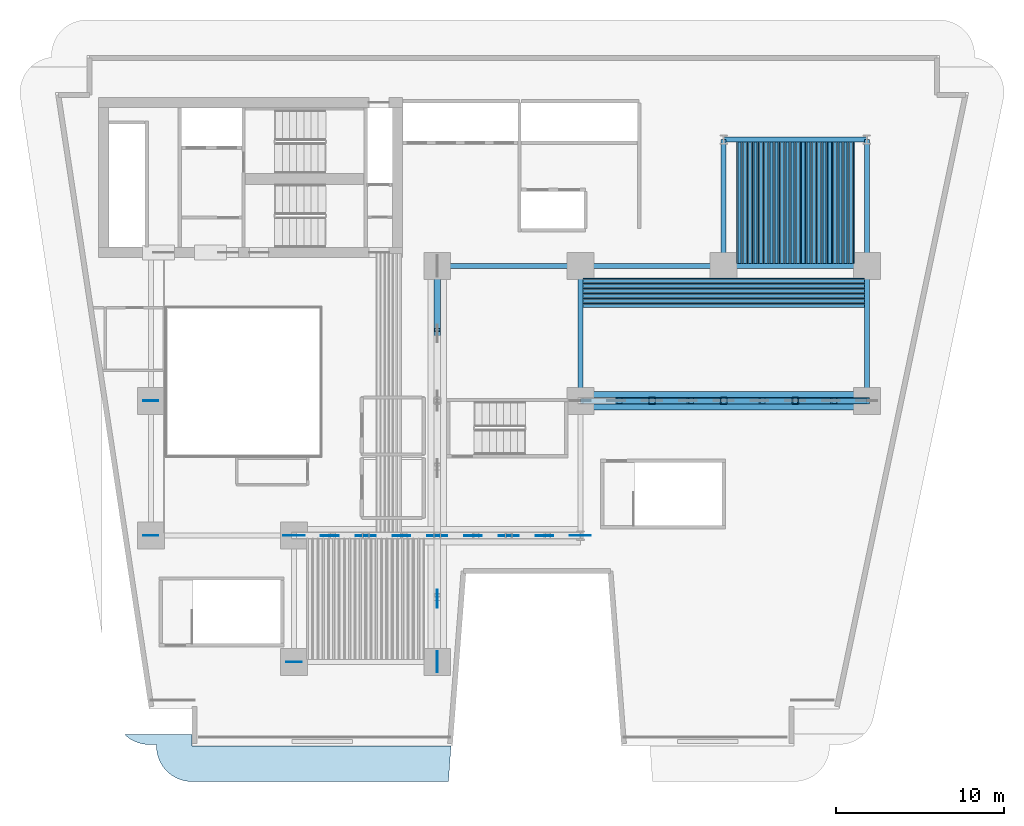
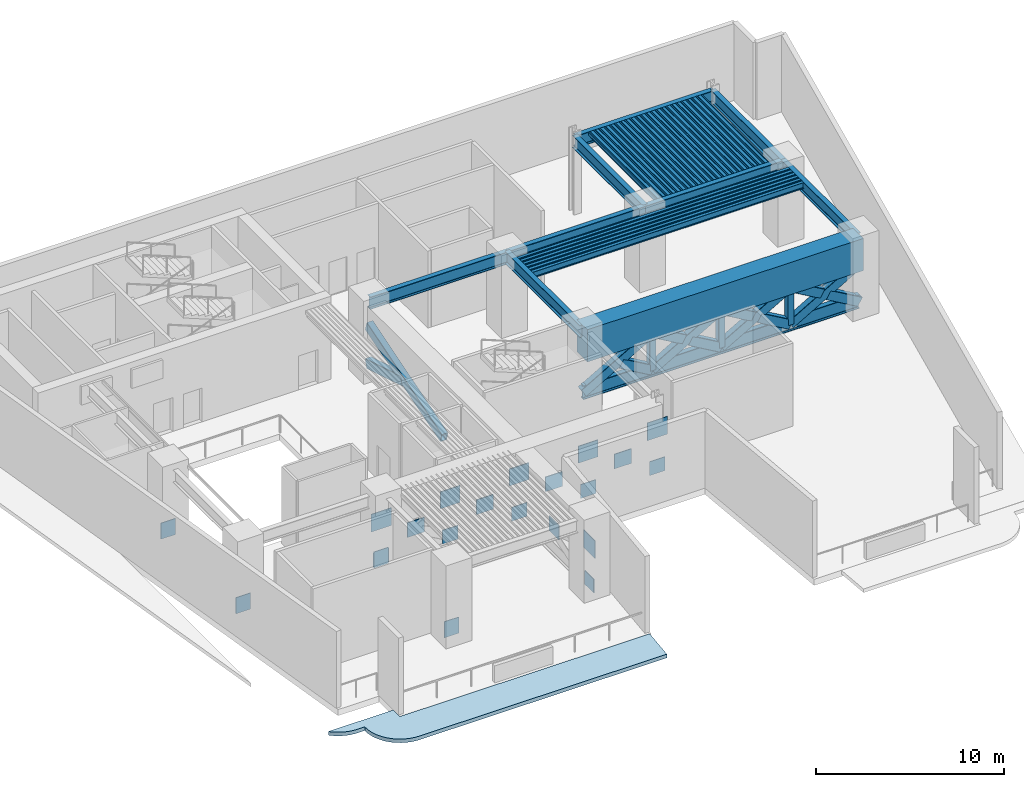
# One storey, part 2 of 9: 67 beams, 21 plates, 16 members, 1 slab.
"""IFC4 building model written with IfcOpenShell, lengths in metres."""

from ifc_helpers import new_model, si_unit, direction, frame, origin, origin_2d, place, context, subcontext, project, spatial, polyline, rectangle, hollow_rectangle, i_section, outline, extrude, material, layer, layer_set, material_profile, profile_set, type_object, element, save


model = new_model("IFC4")

# Units and contexts
model_context = context("Model", 3, precision=1e-05, world=origin(), true_north=direction((0.0, 1.0)))
body_context = subcontext(model_context, "Body", "Model", "MODEL_VIEW")
ifc_project = project(units=[si_unit("LENGTHUNIT", "METRE"), si_unit("AREAUNIT", "SQUARE_METRE"), si_unit("VOLUMEUNIT", "CUBIC_METRE"), si_unit("PLANEANGLEUNIT", "RADIAN"), si_unit("MASSUNIT", "GRAM", prefix="KILO")], contexts=[model_context])

# Site, building, storey
site_placement = place(None, origin())
site = spatial("IfcSite", under=ifc_project, at=site_placement, CompositionType="ELEMENT")
building_placement = place(site_placement, origin())
building = spatial("IfcBuilding", under=site, at=building_placement, Name="Caeloran Harvest Quay", CompositionType="ELEMENT")
storey_placement = place(building_placement, frame((0.0, 0.0, 21.60009765625)))
storey = spatial("IfcBuildingStorey", under=building, at=storey_placement, Name="L05", CompositionType="ELEMENT", Elevation=21.60009765625)

# Beams
ifc_material_1 = material(Name="Steel S355J2", Category="steel")
ifc_material_profile_1 = material_profile(ifc_material_1, i_section(OverallWidth=0.300048828125, OverallDepth=0.800048828125, WebThickness=0.017578125, FlangeThickness=0.032958984375, FilletRadius=0.030029296875, at=origin_2d()), Name="HE 800 B")
ifc_profile_set_1 = profile_set([ifc_material_profile_1], Name="Steel S355J2")
beam_type_1 = type_object("IfcBeamType", Name="BM-PG-1-HE_800_B", PredefinedType="BEAM", material=ifc_profile_set_1)
for number, where, z_axis, x_axis, name in (
    (1, (25.5, 31.0, 4.599853515625), (1.0, 0.0, 0.0), (0.0, 1.0, 0.0), "L05 Primary East-West Girder Y=31.0"),
    (2, (34.0, 31.0, 4.599853515625), (1.0, 0.0, 0.0), (0.0, 1.0, 0.0), "L05 Primary East-West Girder Y=31.0"),
    (3, (42.5, 31.0, 4.599853515625), (1.0, 0.0, 0.0), (0.0, 1.0, 0.0), "L05 Primary East-West Girder Y=31.0"),
    (4, (42.5, 38.5, 4.599853515625), (1.0, 0.0, 0.0), (0.0, 1.0, 0.0), "L05 Primary East-West Girder Y=38.5"),
):
    element("IfcBeam", number, at=place(storey_placement, frame(where, z_axis=z_axis, x_axis=x_axis)), inside=storey, type_object=beam_type_1, Name=name, PredefinedType="BEAM", context=body_context, shape_type="SweptSolid", body=[
        extrude(i_section(OverallWidth=0.300048828125, OverallDepth=0.800048828125, WebThickness=0.017578125, FlangeThickness=0.032958984375, FilletRadius=0.030029296875, at=origin_2d()), origin(), (0.0, 0.0, 1.0), 8.5),
    ])
beam_1_placement = place(storey_placement, frame((34.0, 23.0, 4.599853515625), z_axis=(0.0, 1.0, 0.0), x_axis=(-1.0, 0.0, 0.0)))
element("IfcBeam", 5, at=beam_1_placement, inside=storey, type_object=beam_type_1, Name="L05 Primary North-South Girder X=34.0", PredefinedType="BEAM", context=body_context, shape_type="SweptSolid", body=[
    extrude(i_section(OverallWidth=0.300048828125, OverallDepth=0.800048828125, WebThickness=0.017578125, FlangeThickness=0.032958984375, FilletRadius=0.030029296875, at=origin_2d()), origin(), (0.0, 0.0, 1.0), 8.0),
])
beam_2_placement = place(storey_placement, frame((42.5, 31.0, 4.599853515625), z_axis=(0.0, 1.0, 0.0), x_axis=(-1.0, 0.0, 0.0)))
element("IfcBeam", 6, at=beam_2_placement, inside=storey, type_object=beam_type_1, Name="L05 Primary North-South Girder X=42.5", PredefinedType="BEAM", context=body_context, shape_type="SweptSolid", body=[
    extrude(i_section(OverallWidth=0.300048828125, OverallDepth=0.800048828125, WebThickness=0.017578125, FlangeThickness=0.032958984375, FilletRadius=0.030029296875, at=origin_2d()), origin(), (0.0, 0.0, 1.0), 7.5),
])
beam_3_placement = place(storey_placement, frame((51.0, 23.0, 4.599853515625), z_axis=(0.0, 1.0, 0.0), x_axis=(-1.0, 0.0, 0.0)))
element("IfcBeam", 7, at=beam_3_placement, inside=storey, type_object=beam_type_1, Name="L05 Primary North-South Girder X=51.0", PredefinedType="BEAM", context=body_context, shape_type="SweptSolid", body=[
    extrude(i_section(OverallWidth=0.300048828125, OverallDepth=0.800048828125, WebThickness=0.017578125, FlangeThickness=0.032958984375, FilletRadius=0.030029296875, at=origin_2d()), origin(), (0.0, 0.0, 1.0), 8.0),
])
beam_4_placement = place(storey_placement, frame((51.0, 31.0, 4.599853515625), z_axis=(0.0, 1.0, 0.0), x_axis=(-1.0, 0.0, 0.0)))
element("IfcBeam", 8, at=beam_4_placement, inside=storey, type_object=beam_type_1, Name="L05 Primary North-South Girder X=51.0", PredefinedType="BEAM", context=body_context, shape_type="SweptSolid", body=[
    extrude(i_section(OverallWidth=0.300048828125, OverallDepth=0.800048828125, WebThickness=0.017578125, FlangeThickness=0.032958984375, FilletRadius=0.030029296875, at=origin_2d()), origin(), (0.0, 0.0, 1.0), 7.5),
])
ifc_material_profile_2 = material_profile(ifc_material_1, i_section(OverallWidth=0.179931640625, OverallDepth=0.39990234375, WebThickness=0.008544921875, FlangeThickness=0.013427734375, FilletRadius=0.02099609375, at=origin_2d()), Name="IPE 400")
ifc_profile_set_2 = profile_set([ifc_material_profile_2], Name="Steel S355J2")
beam_type_2 = type_object("IfcBeamType", Name="BM-SB-4-IPE_400", PredefinedType="JOIST", material=ifc_profile_set_2)
for number, where, z_axis, x_axis, name in (
    (9, (43.4443359375, 31.14501953125, 4.7998046875), (0.0, 1.0, 0.0), (-1.0, 0.0, 0.0), "L05 Secondary Composite Joist"),
    (10, (43.75927734375, 31.14501953125, 4.7998046875), (0.0, 1.0, 0.0), (-1.0, 0.0, 0.0), "L05 Secondary Composite Joist"),
    (11, (44.07421875, 31.14501953125, 4.7998046875), (0.0, 1.0, 0.0), (-1.0, 0.0, 0.0), "L05 Secondary Composite Joist"),
    (12, (44.388916015625, 31.14501953125, 4.7998046875), (0.0, 1.0, 0.0), (-1.0, 0.0, 0.0), "L05 Secondary Composite Joist"),
    (13, (44.70361328125, 31.14501953125, 4.7998046875), (0.0, 1.0, 0.0), (-1.0, 0.0, 0.0), "L05 Secondary Composite Joist"),
    (14, (45.0185546875, 31.14501953125, 4.7998046875), (0.0, 1.0, 0.0), (-1.0, 0.0, 0.0), "L05 Secondary Composite Joist"),
    (15, (45.333251953125, 31.14501953125, 4.7998046875), (0.0, 1.0, 0.0), (-1.0, 0.0, 0.0), "L05 Secondary Composite Joist"),
    (16, (45.648193359375, 31.14501953125, 4.7998046875), (0.0, 1.0, 0.0), (-1.0, 0.0, 0.0), "L05 Secondary Composite Joist"),
    (17, (45.962890625, 31.14501953125, 4.7998046875), (0.0, 1.0, 0.0), (-1.0, 0.0, 0.0), "L05 Secondary Composite Joist"),
    (18, (46.27783203125, 31.14501953125, 4.7998046875), (0.0, 1.0, 0.0), (-1.0, 0.0, 0.0), "L05 Secondary Composite Joist"),
    (19, (46.592529296875, 31.14501953125, 4.7998046875), (0.0, 1.0, 0.0), (-1.0, 0.0, 0.0), "L05 Secondary Composite Joist"),
    (20, (46.907470703125, 31.14501953125, 4.7998046875), (0.0, 1.0, 0.0), (-1.0, 0.0, 0.0), "L05 Secondary Composite Joist"),
    (21, (47.22216796875, 31.14501953125, 4.7998046875), (0.0, 1.0, 0.0), (-1.0, 0.0, 0.0), "L05 Secondary Composite Joist"),
    (22, (47.537109375, 31.14501953125, 4.7998046875), (0.0, 1.0, 0.0), (-1.0, 0.0, 0.0), "L05 Secondary Composite Joist"),
    (23, (47.851806640625, 31.14501953125, 4.7998046875), (0.0, 1.0, 0.0), (-1.0, 0.0, 0.0), "L05 Secondary Composite Joist"),
    (24, (48.166748046875, 31.14501953125, 4.7998046875), (0.0, 1.0, 0.0), (-1.0, 0.0, 0.0), "L05 Secondary Composite Joist"),
    (25, (48.4814453125, 31.14501953125, 4.7998046875), (0.0, 1.0, 0.0), (-1.0, 0.0, 0.0), "L05 Secondary Composite Joist"),
    (26, (48.79638671875, 31.14501953125, 4.7998046875), (0.0, 1.0, 0.0), (-1.0, 0.0, 0.0), "L05 Secondary Composite Joist"),
    (27, (49.111083984375, 31.14501953125, 4.7998046875), (0.0, 1.0, 0.0), (-1.0, 0.0, 0.0), "L05 Secondary Composite Joist"),
    (28, (49.42578125, 31.14501953125, 4.7998046875), (0.0, 1.0, 0.0), (-1.0, 0.0, 0.0), "L05 Secondary Composite Joist"),
    (29, (49.74072265625, 31.14501953125, 4.7998046875), (0.0, 1.0, 0.0), (-1.0, 0.0, 0.0), "L05 Secondary Composite Joist"),
    (30, (50.0556640625, 31.14501953125, 4.7998046875), (0.0, 1.0, 0.0), (-1.0, 0.0, 0.0), "L05 Secondary Composite Joist"),
):
    element("IfcBeam", number, at=place(storey_placement, frame(where, z_axis=z_axis, x_axis=x_axis)), inside=storey, type_object=beam_type_2, Name=name, PredefinedType="JOIST", context=body_context, shape_type="SweptSolid", body=[
        extrude(i_section(OverallWidth=0.179931640625, OverallDepth=0.39990234375, WebThickness=0.008544921875, FlangeThickness=0.013427734375, FilletRadius=0.02099609375, at=origin_2d()), origin(), (0.0, 0.0, 1.0), 7.2099609375),
    ])
for number, where, z_axis, x_axis, name in (
    (31, (34.14501953125, 28.629638671875, 4.7998046875), (1.0, 0.0, 0.0), (0.0, 1.0, 0.0), "L05 Secondary East-West Composite Joist"),
    (32, (34.14501953125, 28.92578125, 4.7998046875), (1.0, 0.0, 0.0), (0.0, 1.0, 0.0), "L05 Secondary East-West Composite Joist"),
    (33, (34.14501953125, 29.22216796875, 4.7998046875), (1.0, 0.0, 0.0), (0.0, 1.0, 0.0), "L05 Secondary East-West Composite Joist"),
    (34, (34.14501953125, 29.5185546875, 4.7998046875), (1.0, 0.0, 0.0), (0.0, 1.0, 0.0), "L05 Secondary East-West Composite Joist"),
    (35, (34.14501953125, 29.814697265625, 4.7998046875), (1.0, 0.0, 0.0), (0.0, 1.0, 0.0), "L05 Secondary East-West Composite Joist"),
    (36, (34.14501953125, 30.111083984375, 4.7998046875), (1.0, 0.0, 0.0), (0.0, 1.0, 0.0), "L05 Secondary East-West Composite Joist"),
):
    element("IfcBeam", number, at=place(storey_placement, frame(where, z_axis=z_axis, x_axis=x_axis)), inside=storey, type_object=beam_type_2, Name=name, PredefinedType="JOIST", context=body_context, shape_type="SweptSolid", body=[
        extrude(i_section(OverallWidth=0.179931640625, OverallDepth=0.39990234375, WebThickness=0.008544921875, FlangeThickness=0.013427734375, FilletRadius=0.02099609375, at=origin_2d()), origin(), (0.0, 0.0, 1.0), 16.7099609375),
    ])
ifc_material_profile_3 = material_profile(ifc_material_1, hollow_rectangle(XDim=0.080078125, YDim=0.199951171875, WallThickness=0.006103515625, InnerFilletRadius=0.006103515625, OuterFilletRadius=0.009033203125, at=origin_2d()), Name="RHS 200x80x6")
ifc_profile_set_3 = profile_set([ifc_material_profile_3], Name="Steel S355J2")
beam_type_3 = type_object("IfcBeamType", Name="BM-SB-7-RHS_200x80x6", PredefinedType="JOIST", material=ifc_profile_set_3)
for number, where, z_axis, x_axis, name in (
    (37, (43.287109375, 31.14501953125, 4.89990234375), (0.0, 1.0, 0.0), (-1.0, 0.0, 0.0), "L05 Secondary Composite Joist"),
    (38, (43.601806640625, 31.14501953125, 4.89990234375), (0.0, 1.0, 0.0), (-1.0, 0.0, 0.0), "L05 Secondary Composite Joist"),
    (39, (43.916748046875, 31.14501953125, 4.89990234375), (0.0, 1.0, 0.0), (-1.0, 0.0, 0.0), "L05 Secondary Composite Joist"),
    (40, (44.2314453125, 31.14501953125, 4.89990234375), (0.0, 1.0, 0.0), (-1.0, 0.0, 0.0), "L05 Secondary Composite Joist"),
    (41, (44.54638671875, 31.14501953125, 4.89990234375), (0.0, 1.0, 0.0), (-1.0, 0.0, 0.0), "L05 Secondary Composite Joist"),
    (42, (44.861083984375, 31.14501953125, 4.89990234375), (0.0, 1.0, 0.0), (-1.0, 0.0, 0.0), "L05 Secondary Composite Joist"),
    (43, (45.17578125, 31.14501953125, 4.89990234375), (0.0, 1.0, 0.0), (-1.0, 0.0, 0.0), "L05 Secondary Composite Joist"),
    (44, (45.49072265625, 31.14501953125, 4.89990234375), (0.0, 1.0, 0.0), (-1.0, 0.0, 0.0), "L05 Secondary Composite Joist"),
    (45, (45.8056640625, 31.14501953125, 4.89990234375), (0.0, 1.0, 0.0), (-1.0, 0.0, 0.0), "L05 Secondary Composite Joist"),
    (46, (46.120361328125, 31.14501953125, 4.89990234375), (0.0, 1.0, 0.0), (-1.0, 0.0, 0.0), "L05 Secondary Composite Joist"),
    (47, (46.435302734375, 31.14501953125, 4.89990234375), (0.0, 1.0, 0.0), (-1.0, 0.0, 0.0), "L05 Secondary Composite Joist"),
    (48, (46.75, 31.14501953125, 4.89990234375), (0.0, 1.0, 0.0), (-1.0, 0.0, 0.0), "L05 Secondary Composite Joist"),
    (49, (47.064697265625, 31.14501953125, 4.89990234375), (0.0, 1.0, 0.0), (-1.0, 0.0, 0.0), "L05 Secondary Composite Joist"),
    (50, (47.379638671875, 31.14501953125, 4.89990234375), (0.0, 1.0, 0.0), (-1.0, 0.0, 0.0), "L05 Secondary Composite Joist"),
    (51, (47.6943359375, 31.14501953125, 4.89990234375), (0.0, 1.0, 0.0), (-1.0, 0.0, 0.0), "L05 Secondary Composite Joist"),
    (52, (48.00927734375, 31.14501953125, 4.89990234375), (0.0, 1.0, 0.0), (-1.0, 0.0, 0.0), "L05 Secondary Composite Joist"),
    (53, (48.32421875, 31.14501953125, 4.89990234375), (0.0, 1.0, 0.0), (-1.0, 0.0, 0.0), "L05 Secondary Composite Joist"),
    (54, (48.638916015625, 31.14501953125, 4.89990234375), (0.0, 1.0, 0.0), (-1.0, 0.0, 0.0), "L05 Secondary Composite Joist"),
    (55, (48.95361328125, 31.14501953125, 4.89990234375), (0.0, 1.0, 0.0), (-1.0, 0.0, 0.0), "L05 Secondary Composite Joist"),
    (56, (49.2685546875, 31.14501953125, 4.89990234375), (0.0, 1.0, 0.0), (-1.0, 0.0, 0.0), "L05 Secondary Composite Joist"),
    (57, (49.583251953125, 31.14501953125, 4.89990234375), (0.0, 1.0, 0.0), (-1.0, 0.0, 0.0), "L05 Secondary Composite Joist"),
    (58, (49.898193359375, 31.14501953125, 4.89990234375), (0.0, 1.0, 0.0), (-1.0, 0.0, 0.0), "L05 Secondary Composite Joist"),
    (59, (50.212890625, 31.14501953125, 4.89990234375), (0.0, 1.0, 0.0), (-1.0, 0.0, 0.0), "L05 Secondary Composite Joist"),
):
    element("IfcBeam", number, at=place(storey_placement, frame(where, z_axis=z_axis, x_axis=x_axis)), inside=storey, type_object=beam_type_3, Name=name, PredefinedType="JOIST", context=body_context, shape_type="SweptSolid", body=[
        extrude(hollow_rectangle(XDim=0.080078125, YDim=0.199951171875, WallThickness=0.006103515625, InnerFilletRadius=0.006103515625, OuterFilletRadius=0.009033203125, at=origin_2d()), origin(), (0.0, 0.0, 1.0), 7.2099609375),
    ])
for number, where, z_axis, x_axis, name in (
    (60, (34.14501953125, 28.77783203125, 4.89990234375), (1.0, 0.0, 0.0), (0.0, 1.0, 0.0), "L05 Secondary East-West Composite Joist"),
    (61, (34.14501953125, 29.07421875, 4.89990234375), (1.0, 0.0, 0.0), (0.0, 1.0, 0.0), "L05 Secondary East-West Composite Joist"),
    (62, (34.14501953125, 29.370361328125, 4.89990234375), (1.0, 0.0, 0.0), (0.0, 1.0, 0.0), "L05 Secondary East-West Composite Joist"),
    (63, (34.14501953125, 29.666748046875, 4.89990234375), (1.0, 0.0, 0.0), (0.0, 1.0, 0.0), "L05 Secondary East-West Composite Joist"),
    (64, (34.14501953125, 29.962890625, 4.89990234375), (1.0, 0.0, 0.0), (0.0, 1.0, 0.0), "L05 Secondary East-West Composite Joist"),
    (65, (34.14501953125, 30.25927734375, 4.89990234375), (1.0, 0.0, 0.0), (0.0, 1.0, 0.0), "L05 Secondary East-West Composite Joist"),
):
    element("IfcBeam", number, at=place(storey_placement, frame(where, z_axis=z_axis, x_axis=x_axis)), inside=storey, type_object=beam_type_3, Name=name, PredefinedType="JOIST", context=body_context, shape_type="SweptSolid", body=[
        extrude(hollow_rectangle(XDim=0.080078125, YDim=0.199951171875, WallThickness=0.006103515625, InnerFilletRadius=0.006103515625, OuterFilletRadius=0.009033203125, at=origin_2d()), origin(), (0.0, 0.0, 1.0), 16.7099609375),
    ])
ifc_material_2 = material(Name="Steel HISTAR 460", Category="steel")
ifc_material_profile_4 = material_profile(ifc_material_2, i_section(OverallWidth=0.300048828125, OverallDepth=0.89990234375, WebThickness=0.0185546875, FlangeThickness=0.034912109375, FilletRadius=0.030029296875, at=origin_2d()), Name="HE 900 B")
ifc_profile_set_4 = profile_set([ifc_material_profile_4], Name="Steel HISTAR 460")
beam_type_4 = type_object("IfcBeamType", Name="BM-TC-2-HE_900_B", PredefinedType="BEAM", material=ifc_profile_set_4)
beam_5_placement = place(storey_placement, frame((34.0, 23.0, 0.64990234375), z_axis=(1.0, 0.0, 0.0), x_axis=(0.0, 1.0, 0.0)))
element("IfcBeam", 66, at=beam_5_placement, inside=storey, type_object=beam_type_4, Name="L05 HISTAR 460 Transfer Truss TT3-Y23-E Continuous Bottom Chord", PredefinedType="BEAM", context=body_context, shape_type="SweptSolid", body=[
    extrude(i_section(OverallWidth=0.300048828125, OverallDepth=0.89990234375, WebThickness=0.0185546875, FlangeThickness=0.034912109375, FilletRadius=0.030029296875, at=origin_2d()), origin(), (0.0, 0.0, 1.0), 17.0),
])
ifc_material_3 = material(Name="Concrete C80/95", Category="concrete")
ifc_material_profile_5 = material_profile(ifc_material_3, rectangle(XDim=1.10009765625, YDim=2.10009765625, at=origin_2d()), Name="BM-TG-1-RC_1100x2100")
ifc_profile_set_5 = profile_set([ifc_material_profile_5], Name="Concrete C80/95")
beam_type_5 = type_object("IfcBeamType", Name="BM-TG-1-RC_1100x2100", PredefinedType="BEAM", material=ifc_profile_set_5)
beam_6_placement = place(storey_placement, frame((34.0, 23.0, 3.949951171875), z_axis=(1.0, 0.0, 0.0), x_axis=(0.0, 1.0, 0.0)))
element("IfcBeam", 67, at=beam_6_placement, inside=storey, type_object=beam_type_5, Name="L05 Post-Tensioned Concrete Transfer Girder TT3-Y23-E", PredefinedType="BEAM", context=body_context, shape_type="SweptSolid", body=[
    extrude(rectangle(XDim=1.10009765625, YDim=2.10009765625, at=origin_2d()), origin(), (0.0, 0.0, 1.0), 17.0),
])

# Members
ifc_material_profile_6 = material_profile(ifc_material_2, hollow_rectangle(XDim=0.39990234375, YDim=0.60009765625, WallThickness=0.02490234375, InnerFilletRadius=0.02490234375, OuterFilletRadius=0.03759765625, at=origin_2d()), Name="RHS 600x400x25")
ifc_profile_set_6 = profile_set([ifc_material_profile_6], Name="Steel HISTAR 460")
member_type_1 = type_object("IfcMemberType", Name="MEM-TD-1-RHS_600x400x25", PredefinedType="BRACE", material=ifc_profile_set_6)
member_1_placement = place(storey_placement, frame((25.5, 23.0, 0.64990234375), z_axis=(0.0, 0.956167447232, 0.292820444732), x_axis=(-1.0, 0.0, 0.0)))
element("IfcMember", 68, at=member_1_placement, inside=storey, type_object=member_type_1, Name="L05 Transfer Truss TT2-X255 Continuous Diagonal 3A", PredefinedType="BRACE", context=body_context, shape_type="SweptSolid", body=[
    extrude(hollow_rectangle(XDim=0.39990234375, YDim=0.60009765625, WallThickness=0.02490234375, InnerFilletRadius=0.02490234375, OuterFilletRadius=0.03759765625, at=origin_2d()), origin(), (0.0, 0.0, 1.0), 8.36669921875),
])
member_2_placement = place(storey_placement, frame((25.5, 27.21044921875, 1.810546875), z_axis=(0.0, 0.956159129593, -0.292847603536), x_axis=(-1.0, 0.0, 0.0)))
element("IfcMember", 69, at=member_2_placement, inside=storey, type_object=member_type_1, Name="L05 Transfer Truss TT2-X255 Split Diagonal 3B2", PredefinedType="BRACE", context=body_context, shape_type="SweptSolid", body=[
    extrude(hollow_rectangle(XDim=0.39990234375, YDim=0.60009765625, WallThickness=0.02490234375, InnerFilletRadius=0.02490234375, OuterFilletRadius=0.03759765625, at=origin_2d()), origin(), (0.0, 0.0, 1.0), 3.96337890625),
])
member_3_placement = place(storey_placement, frame((34.0, 23.0, 0.64990234375), z_axis=(0.866359527852, 0.0, 0.499420833065), x_axis=(0.0, 1.0, 0.0)))
element("IfcMember", 70, at=member_3_placement, inside=storey, type_object=member_type_1, Name="L05 Transfer Truss TT3-Y23-E Continuous Diagonal 1A", PredefinedType="BRACE", context=body_context, shape_type="SweptSolid", body=[
    extrude(hollow_rectangle(XDim=0.39990234375, YDim=0.60009765625, WallThickness=0.02490234375, InnerFilletRadius=0.02490234375, OuterFilletRadius=0.03759765625, at=origin_2d()), origin(), (0.0, 0.0, 1.0), 4.905517578125),
])
member_4_placement = place(storey_placement, frame((36.315673828125, 23.0, 1.764892578125), z_axis=(0.86637303271, 0.0, -0.499397405072), x_axis=(0.0, 1.0, 0.0)))
element("IfcMember", 71, at=member_4_placement, inside=storey, type_object=member_type_1, Name="L05 Transfer Truss TT3-Y23-E Split Diagonal 1B2", PredefinedType="BRACE", context=body_context, shape_type="SweptSolid", body=[
    extrude(hollow_rectangle(XDim=0.39990234375, YDim=0.60009765625, WallThickness=0.02490234375, InnerFilletRadius=0.02490234375, OuterFilletRadius=0.03759765625, at=origin_2d()), origin(), (0.0, 0.0, 1.0), 2.232666015625),
])
member_5_placement = place(storey_placement, frame((38.25, 23.0, 0.64990234375), z_axis=(0.866359527852, 0.0, 0.499420833065), x_axis=(0.0, 1.0, 0.0)))
element("IfcMember", 72, at=member_5_placement, inside=storey, type_object=member_type_1, Name="L05 Transfer Truss TT3-Y23-E Continuous Diagonal 2A", PredefinedType="BRACE", context=body_context, shape_type="SweptSolid", body=[
    extrude(hollow_rectangle(XDim=0.39990234375, YDim=0.60009765625, WallThickness=0.02490234375, InnerFilletRadius=0.02490234375, OuterFilletRadius=0.03759765625, at=origin_2d()), origin(), (0.0, 0.0, 1.0), 4.905517578125),
])
for number, where, z_axis, x_axis, name in (
    (73, (38.25, 23.0, 3.099853515625), (0.86637303271, 0.0, -0.499397405072), (0.0, 1.0, 0.0), "L05 Transfer Truss TT3-Y23-E Split Diagonal 2B1"),
    (74, (40.565673828125, 23.0, 1.764892578125), (0.86637303271, 0.0, -0.499397405072), (0.0, 1.0, 0.0), "L05 Transfer Truss TT3-Y23-E Split Diagonal 2B2"),
):
    element("IfcMember", number, at=place(storey_placement, frame(where, z_axis=z_axis, x_axis=x_axis)), inside=storey, type_object=member_type_1, Name=name, PredefinedType="BRACE", context=body_context, shape_type="SweptSolid", body=[
        extrude(hollow_rectangle(XDim=0.39990234375, YDim=0.60009765625, WallThickness=0.02490234375, InnerFilletRadius=0.02490234375, OuterFilletRadius=0.03759765625, at=origin_2d()), origin(), (0.0, 0.0, 1.0), 2.232666015625),
    ])
member_6_placement = place(storey_placement, frame((42.5, 23.0, 0.64990234375), z_axis=(0.866359527852, 0.0, 0.499420833065), x_axis=(0.0, 1.0, 0.0)))
element("IfcMember", 75, at=member_6_placement, inside=storey, type_object=member_type_1, Name="L05 Transfer Truss TT3-Y23-E Continuous Diagonal 3A", PredefinedType="BRACE", context=body_context, shape_type="SweptSolid", body=[
    extrude(hollow_rectangle(XDim=0.39990234375, YDim=0.60009765625, WallThickness=0.02490234375, InnerFilletRadius=0.02490234375, OuterFilletRadius=0.03759765625, at=origin_2d()), origin(), (0.0, 0.0, 1.0), 4.905517578125),
])
for number, where, z_axis, x_axis, name in (
    (76, (42.5, 23.0, 3.099853515625), (0.86637303271, 0.0, -0.499397405072), (0.0, 1.0, 0.0), "L05 Transfer Truss TT3-Y23-E Split Diagonal 3B1"),
    (77, (44.815673828125, 23.0, 1.764892578125), (0.86637303271, 0.0, -0.499397405072), (0.0, 1.0, 0.0), "L05 Transfer Truss TT3-Y23-E Split Diagonal 3B2"),
):
    element("IfcMember", number, at=place(storey_placement, frame(where, z_axis=z_axis, x_axis=x_axis)), inside=storey, type_object=member_type_1, Name=name, PredefinedType="BRACE", context=body_context, shape_type="SweptSolid", body=[
        extrude(hollow_rectangle(XDim=0.39990234375, YDim=0.60009765625, WallThickness=0.02490234375, InnerFilletRadius=0.02490234375, OuterFilletRadius=0.03759765625, at=origin_2d()), origin(), (0.0, 0.0, 1.0), 2.232666015625),
    ])
member_7_placement = place(storey_placement, frame((46.75, 23.0, 0.64990234375), z_axis=(0.866359527852, 0.0, 0.499420833065), x_axis=(0.0, 1.0, 0.0)))
element("IfcMember", 78, at=member_7_placement, inside=storey, type_object=member_type_1, Name="L05 Transfer Truss TT3-Y23-E Continuous Diagonal 4A", PredefinedType="BRACE", context=body_context, shape_type="SweptSolid", body=[
    extrude(hollow_rectangle(XDim=0.39990234375, YDim=0.60009765625, WallThickness=0.02490234375, InnerFilletRadius=0.02490234375, OuterFilletRadius=0.03759765625, at=origin_2d()), origin(), (0.0, 0.0, 1.0), 4.905517578125),
])
for number, where, z_axis, x_axis, name in (
    (79, (46.75, 23.0, 3.099853515625), (0.86637303271, 0.0, -0.499397405072), (0.0, 1.0, 0.0), "L05 Transfer Truss TT3-Y23-E Split Diagonal 4B1"),
    (80, (49.065673828125, 23.0, 1.764892578125), (0.86637303271, 0.0, -0.499397405072), (0.0, 1.0, 0.0), "L05 Transfer Truss TT3-Y23-E Split Diagonal 4B2"),
):
    element("IfcMember", number, at=place(storey_placement, frame(where, z_axis=z_axis, x_axis=x_axis)), inside=storey, type_object=member_type_1, Name=name, PredefinedType="BRACE", context=body_context, shape_type="SweptSolid", body=[
        extrude(hollow_rectangle(XDim=0.39990234375, YDim=0.60009765625, WallThickness=0.02490234375, InnerFilletRadius=0.02490234375, OuterFilletRadius=0.03759765625, at=origin_2d()), origin(), (0.0, 0.0, 1.0), 2.232666015625),
    ])
ifc_material_profile_7 = material_profile(ifc_material_2, hollow_rectangle(XDim=0.39990234375, YDim=0.39990234375, WallThickness=0.02001953125, InnerFilletRadius=0.02001953125, OuterFilletRadius=0.030029296875, at=origin_2d()), Name="SHS 400x400x20")
ifc_profile_set_7 = profile_set([ifc_material_profile_7], Name="Steel HISTAR 460")
member_type_2 = type_object("IfcMemberType", Name="MEM-TP-1-SHS_400x400x20", PredefinedType="POST", material=ifc_profile_set_7)
for number, where, z_axis, x_axis, name in (
    (81, (38.25, 23.0, 0.64990234375), (0.0, 0.0, 1.0), (1.0, 0.0, 0.0), "L05 Transfer Truss TT3-Y23-E Vertical Post 1"),
    (82, (42.5, 23.0, 0.64990234375), (0.0, 0.0, 1.0), (1.0, 0.0, 0.0), "L05 Transfer Truss TT3-Y23-E Vertical Post 2"),
    (83, (46.75, 23.0, 0.64990234375), (0.0, 0.0, 1.0), (1.0, 0.0, 0.0), "L05 Transfer Truss TT3-Y23-E Vertical Post 3"),
):
    element("IfcMember", number, at=place(storey_placement, frame(where, z_axis=z_axis, x_axis=x_axis)), inside=storey, type_object=member_type_2, Name=name, PredefinedType="POST", context=body_context, shape_type="SweptSolid", body=[
        extrude(hollow_rectangle(XDim=0.39990234375, YDim=0.39990234375, WallThickness=0.02001953125, InnerFilletRadius=0.02001953125, OuterFilletRadius=0.030029296875, at=origin_2d()), origin(), (0.0, 0.0, 1.0), 2.449951171875),
    ])

# Plates
ifc_layer_1 = layer(ifc_material_2, 0.050048828125, Name="Steel HISTAR 460")
ifc_layer_set_1 = layer_set([ifc_layer_1], Name="Steel HISTAR 460")
plate_type_1 = type_object("IfcPlateType", Name="PLT-TN1-50MM", PredefinedType="SHEET", material=ifc_layer_set_1)
for number, where, z_axis, x_axis, name in (
    (84, (19.125, 15.0, 1.39990234375), (0.0, 0.0, 1.0), (1.0, 0.0, 0.0), "L05 Transfer Truss TT1-Y15-W X-Crossing Gusset Node Plate 1"),
    (85, (23.375, 15.0, 1.39990234375), (0.0, 0.0, 1.0), (1.0, 0.0, 0.0), "L05 Transfer Truss TT1-Y15-W X-Crossing Gusset Node Plate 2"),
    (86, (27.625, 15.0, 1.39990234375), (0.0, 0.0, 1.0), (1.0, 0.0, 0.0), "L05 Transfer Truss TT1-Y15-W X-Crossing Gusset Node Plate 3"),
    (87, (31.875, 15.0, 1.39990234375), (0.0, 0.0, 1.0), (1.0, 0.0, 0.0), "L05 Transfer Truss TT1-Y15-W X-Crossing Gusset Node Plate 4"),
):
    element("IfcPlate", number, at=place(storey_placement, frame(where, z_axis=z_axis, x_axis=x_axis)), inside=storey, type_object=plate_type_1, Name=name, PredefinedType="SHEET", context=body_context, shape_type="SweptSolid", body=[
        extrude(rectangle(XDim=1.050048828125, YDim=0.050048828125, at=origin_2d()), origin(), (0.0, 0.0, 1.0), 0.949951171875),
    ])
for number, where, z_axis, x_axis, name in (
    (88, (21.25, 15.0, 2.5498046875), (0.0, 0.0, 1.0), (1.0, 0.0, 0.0), "L05 Transfer Truss Node Gusset and Cap Plate TOP 1"),
    (89, (25.5, 15.0, 2.5498046875), (0.0, 0.0, 1.0), (1.0, 0.0, 0.0), "L05 Transfer Truss Node Gusset and Cap Plate TOP 2"),
    (90, (29.75, 15.0, 2.5498046875), (0.0, 0.0, 1.0), (1.0, 0.0, 0.0), "L05 Transfer Truss Node Gusset and Cap Plate TOP 3"),
):
    element("IfcPlate", number, at=place(storey_placement, frame(where, z_axis=z_axis, x_axis=x_axis)), inside=storey, type_object=plate_type_1, Name=name, PredefinedType="SHEET", context=body_context, shape_type="SweptSolid", body=[
        extrude(rectangle(XDim=1.199951171875, YDim=0.050048828125, at=origin_2d()), origin(), (0.0, 0.0, 1.0), 1.10009765625),
    ])
plate_placement = place(storey_placement, frame((25.5, 11.25, 1.39990234375), z_axis=(0.0, 0.0, 1.0), x_axis=(0.0, 1.0, 0.0)))
element("IfcPlate", 91, at=plate_placement, inside=storey, type_object=plate_type_1, Name="L05 Transfer Truss TT2-X255 X-Crossing Gusset Node Plate 1", PredefinedType="SHEET", context=body_context, shape_type="SweptSolid", body=[
    extrude(rectangle(XDim=1.050048828125, YDim=0.050048828125, at=origin_2d()), origin(), (0.0, 0.0, 1.0), 0.949951171875),
])
ifc_layer_2 = layer(ifc_material_2, 0.0400390625, Name="Steel HISTAR 460")
ifc_layer_set_2 = layer_set([ifc_layer_2], Name="Steel HISTAR 460")
plate_type_2 = type_object("IfcPlateType", Name="PLT-TN2-40MM", PredefinedType="SHEET", material=ifc_layer_set_2)
for number, where, z_axis, x_axis, name in (
    (92, (17.0, 15.0, 0.199951171875), (0.0, 0.0, 1.0), (1.0, 0.0, 0.0), "L05 Transfer Truss Node Gusset and Cap Plate BOT 0"),
    (93, (21.25, 15.0, 0.199951171875), (0.0, 0.0, 1.0), (1.0, 0.0, 0.0), "L05 Transfer Truss Node Gusset and Cap Plate BOT 1"),
    (94, (25.5, 15.0, 0.199951171875), (0.0, 0.0, 1.0), (1.0, 0.0, 0.0), "L05 Transfer Truss Node Gusset and Cap Plate BOT 2"),
    (95, (29.75, 15.0, 0.199951171875), (0.0, 0.0, 1.0), (1.0, 0.0, 0.0), "L05 Transfer Truss Node Gusset and Cap Plate BOT 3"),
    (96, (34.0, 15.0, 0.199951171875), (0.0, 0.0, 1.0), (1.0, 0.0, 0.0), "L05 Transfer Truss Node Gusset and Cap Plate BOT 4"),
    (97, (25.5, 7.5, 0.199951171875), (0.0, 0.0, 1.0), (0.0, 1.0, 0.0), "L05 Transfer Truss Node Gusset and Cap Plate BOT 0"),
):
    element("IfcPlate", number, at=place(storey_placement, frame(where, z_axis=z_axis, x_axis=x_axis)), inside=storey, type_object=plate_type_2, Name=name, PredefinedType="SHEET", context=body_context, shape_type="SweptSolid", body=[
        extrude(rectangle(XDim=0.949951171875, YDim=0.0400390625, at=origin_2d()), origin(), (0.0, 0.0, 1.0), 0.89990234375),
    ])
for number, where, z_axis, x_axis, name in (
    (98, (8.5, 15.0, 0.125), (0.0, 0.0, 1.0), (1.0, 0.0, 0.0), "L05 Transfer Tie Chord End Plate 1-1"),
    (99, (8.5, 23.0, 0.125), (0.0, 0.0, 1.0), (1.0, 0.0, 0.0), "L05 Transfer Tie Chord End Plate 1-2"),
    (100, (17.0, 7.5, 0.125), (0.0, 0.0, 1.0), (1.0, 0.0, 0.0), "L05 Transfer Tie Chord End Plate 2-1"),
    (101, (17.0, 15.0, 0.125), (0.0, 0.0, 1.0), (1.0, 0.0, 0.0), "L05 Transfer Tie Chord End Plate 2-2"),
):
    element("IfcPlate", number, at=place(storey_placement, frame(where, z_axis=z_axis, x_axis=x_axis)), inside=storey, type_object=plate_type_2, Name=name, PredefinedType="SHEET", context=body_context, shape_type="SweptSolid", body=[
        extrude(rectangle(XDim=0.89990234375, YDim=0.0400390625, at=origin_2d()), origin(), (0.0, 0.0, 1.0), 1.050048828125),
    ])
ifc_layer_3 = layer(ifc_material_2, 0.0439453125, Name="Steel HISTAR 460")
ifc_layer_set_3 = layer_set([ifc_layer_3], Name="Steel HISTAR 460")
plate_type_3 = type_object("IfcPlateType", Name="PLT-TN3-44MM", PredefinedType="SHEET", material=ifc_layer_set_3)
for number, where, z_axis, x_axis, name in (
    (102, (17.0, 15.0, 2.52490234375), (0.0, 0.0, 1.0), (1.0, 0.0, 0.0), "L05 Transfer Truss Node Gusset and Cap Plate TOP 0"),
    (103, (34.0, 15.0, 2.52490234375), (0.0, 0.0, 1.0), (1.0, 0.0, 0.0), "L05 Transfer Truss Node Gusset and Cap Plate TOP 4"),
    (104, (25.5, 7.5, 2.52490234375), (0.0, 0.0, 1.0), (0.0, 1.0, 0.0), "L05 Transfer Truss Node Gusset and Cap Plate TOP 0"),
):
    element("IfcPlate", number, at=place(storey_placement, frame(where, z_axis=z_axis, x_axis=x_axis)), inside=storey, type_object=plate_type_3, Name=name, PredefinedType="SHEET", context=body_context, shape_type="SweptSolid", body=[
        extrude(rectangle(XDim=1.25, YDim=0.0439453125, at=origin_2d()), origin(), (0.0, 0.0, 1.0), 1.14990234375),
    ])

# Slab
ifc_material_4 = material(Name="Concrete C50/60", Category="concrete")
ifc_layer_4 = layer(ifc_material_4, 0.239990234375, Name="Concrete C50/60")
ifc_layer_set_4 = layer_set([ifc_layer_4], Name="Concrete C50/60")
slab_type = type_object("IfcSlabType", Name="SLAB-TR-240", PredefinedType="ROOF", material=ifc_layer_set_4)
slab_placement = place(storey_placement, frame((0.0, 0.0, -0.239990234375)))
element("IfcSlab", 105, at=slab_placement, inside=storey, type_object=slab_type, Name="L05 Step-Back Roof Slab 1", PredefinedType="ROOF", context=body_context, shape_type="SweptSolid", body=[
    extrude(outline(polyline([(8.996826171875, 1.6962890625), (8.927490234375, 1.890380859375), (8.87744140625, 2.09033203125), (8.84716796875, 2.294189453125), (8.8369140625, 2.5), (8.8369140625, 2.60009765625), (8.40234375, 2.60009765625), (8.189697265625, 2.61083984375), (7.979248046875, 2.64306640625), (7.773193359375, 2.6962890625), (7.573486328125, 2.7705078125), (7.382568359375, 2.8642578125), (7.201904296875, 2.976806640625), (7.03369140625, 3.107421875), (6.936279296875, 3.199951171875), (10.93701171875, 3.199951171875), (10.93701171875, 2.5), (26.317138671875, 2.5), (26.1650390625, 0.39990234375), (10.93701171875, 0.39990234375), (10.731201171875, 0.41015625), (10.52734375, 0.4404296875), (10.327392578125, 0.490478515625), (10.13330078125, 0.559814453125), (9.947021484375, 0.64794921875), (9.770263671875, 0.75390625), (9.604736328125, 0.876708984375), (9.4521484375, 1.01513671875), (9.313720703125, 1.167724609375), (9.19091796875, 1.333251953125), (9.0849609375, 1.510009765625), (8.996826171875, 1.6962890625)])), origin(), (0.0, 0.0, 1.0), 0.239990234375),
])

save(model, "model.ifc")
